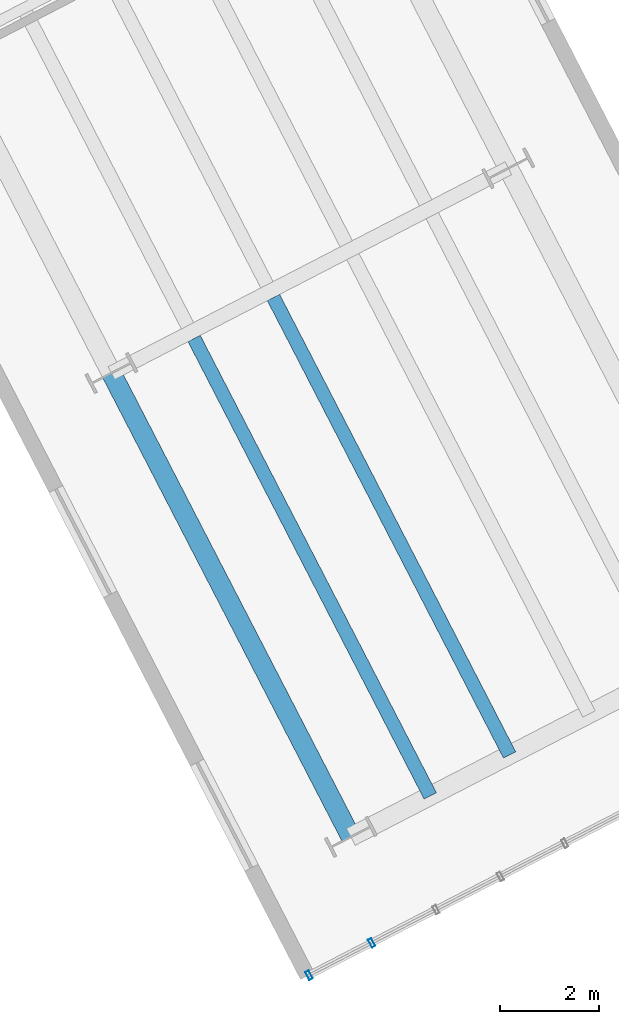
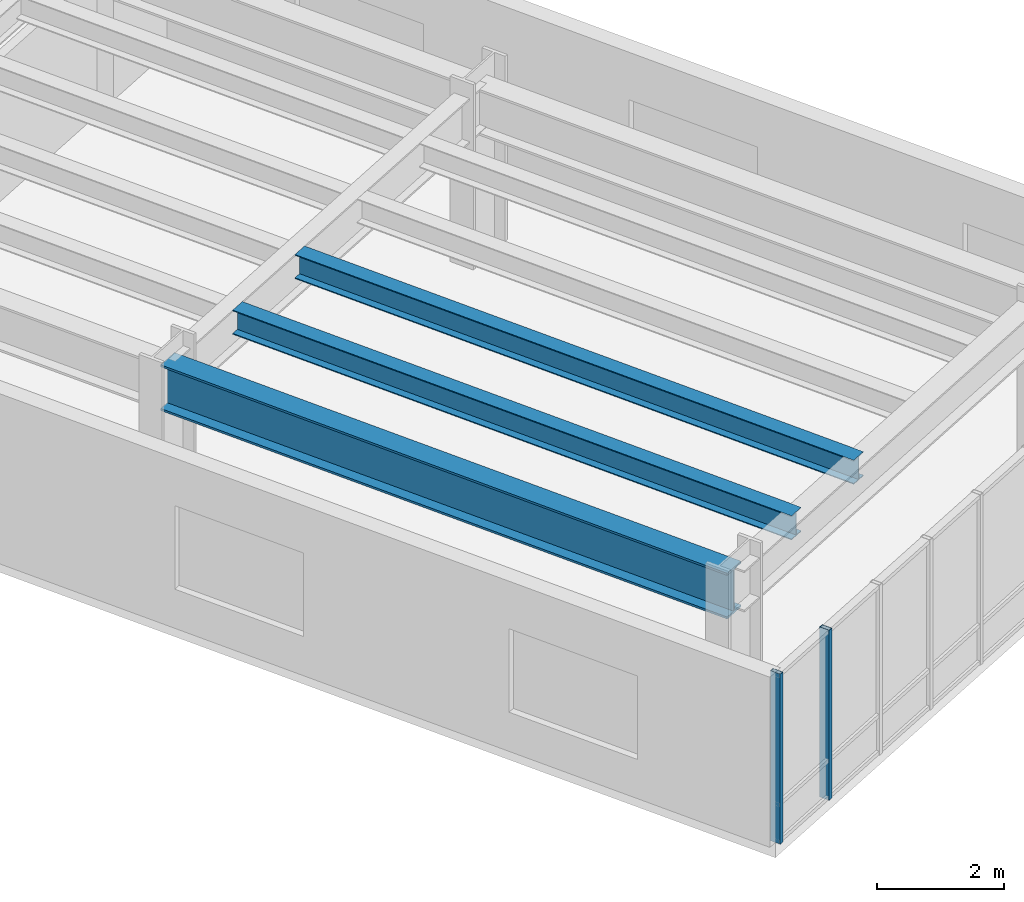
# One storey, part 2 of 10: 3 beams, 2 members, 1 element without a shape of its own.
"""IFC4 building model written with IfcOpenShell, lengths in metres."""

from ifc_helpers import new_model, si_unit, direction, frame, origin, origin_2d, place, context, subcontext, project, spatial, hollow_rectangle, i_section, extrude, material, layer, layer_set, material_profile, profile_set, type_object, element, aggregate, save


model = new_model("IFC4")

# Units and contexts
model_context = context("Model", 3, precision=1e-05, world=origin(), true_north=direction((0.0, 1.0)))
body_context = subcontext(model_context, "Body", "Model", "MODEL_VIEW")
ifc_project = project(units=[si_unit("LENGTHUNIT", "METRE"), si_unit("AREAUNIT", "SQUARE_METRE"), si_unit("VOLUMEUNIT", "CUBIC_METRE"), si_unit("PLANEANGLEUNIT", "RADIAN"), si_unit("MASSUNIT", "GRAM", prefix="KILO"), si_unit("THERMODYNAMICTEMPERATUREUNIT", "KELVIN"), si_unit("POWERUNIT", "WATT")], contexts=[model_context])

# Site, building, storey
site_placement = place(None, origin())
site = spatial("IfcSite", under=ifc_project, at=site_placement, CompositionType="ELEMENT")
building_placement = place(site_placement, origin())
building = spatial("IfcBuilding", under=site, at=building_placement, Name="Skarre Station Tower", CompositionType="ELEMENT")
storey_placement = place(building_placement, frame((0.0, 0.0, 234.800048828125)))
storey = spatial("IfcBuildingStorey", under=building, at=storey_placement, Name="L64", CompositionType="ELEMENT", Elevation=234.800048828125)

# Curtain wall, members
ifc_material_1 = material(Name="Thermally Broken Bronze-Anodized Aluminium & Triple Low-E Glass", Category="aluminium")
ifc_layer = layer(ifc_material_1, 0.2099609375, Name="Thermally Broken Bronze-Anodized Aluminium & Triple Low-E Glass")
ifc_layer_set = layer_set([ifc_layer], Name="Thermally Broken Bronze-Anodized Aluminium & Triple Low-E Glass")
curtain_wall_type = type_object("IfcCurtainWallType", Name="Sky-Bar Prow Structural Glazed Curtain Wall", PredefinedType="NOTDEFINED", material=ifc_layer_set)
curtain_wall_placement = place(storey_placement, origin())
curtain_wall = element("IfcCurtainWall", 1, at=curtain_wall_placement, inside=storey, type_object=curtain_wall_type, Name="L64 SB-5 Lakefront Prow Curtain Wall", PredefinedType="NOTDEFINED")
ifc_material_2 = material(Name="Anodized Aluminium 6063-T6", Category="aluminium")
ifc_material_profile_1 = material_profile(ifc_material_2, hollow_rectangle(XDim=0.074951171875, YDim=0.179931640625, WallThickness=0.00390625, at=origin_2d()), Name="Anodized Aluminium 6063-T6")
ifc_profile_set_1 = profile_set([ifc_material_profile_1], Name="Anodized Aluminium 6063-T6")
member_type = type_object("IfcMemberType", Name="Curtain-Wall Unitised Tower Mullion 180x75", PredefinedType="MULLION", material=ifc_profile_set_1)
member_1_placement = place(storey_placement, frame((46.5439453125, -9.54296875, 0.0), z_axis=(0.0, 0.0, 1.0), x_axis=(-0.888577204547, -0.45872709922, 0.0)))
member_1 = element("IfcMember", 2, at=member_1_placement, type_object=member_type, Name="L64 SB-5 Lakefront Prow Curtain Wall Mullion 9", PredefinedType="MULLION", context=body_context, shape_type="SweptSolid", body=[
    extrude(hollow_rectangle(XDim=0.074951171875, YDim=0.179931640625, WallThickness=0.00390625, at=origin_2d()), origin(), (0.0, 0.0, 1.0), 3.260009765625),
])
member_2_placement = place(storey_placement, frame((45.277099609375, -10.197998046875, 0.0), z_axis=(0.0, 0.0, 1.0), x_axis=(-0.888577204547, -0.45872709922, 0.0)))
member_2 = element("IfcMember", 3, at=member_2_placement, type_object=member_type, Name="L64 SB-5 Lakefront Prow Curtain Wall Mullion 10", PredefinedType="MULLION", context=body_context, shape_type="SweptSolid", body=[
    extrude(hollow_rectangle(XDim=0.074951171875, YDim=0.179931640625, WallThickness=0.00390625, at=origin_2d()), origin(), (0.0, 0.0, 1.0), 3.260009765625),
])
aggregate(curtain_wall, [member_1, member_2])

# Beams
ifc_material_3 = material(Name="Steel ASTM A992 Grade 50", Category="steel")
ifc_material_profile_2 = material_profile(ifc_material_3, i_section(OverallWidth=0.40087890625, OverallDepth=0.876953125, WebThickness=0.02197265625, FlangeThickness=0.0400390625, at=origin_2d()), Name="Steel ASTM A992 Grade 50")
ifc_profile_set_2 = profile_set([ifc_material_profile_2], Name="Steel ASTM A992 Grade 50")
beam_type_1 = type_object("IfcBeamType", Name="Steel Beam W33X263", PredefinedType="BEAM", material=ifc_profile_set_2)
beam_1_placement = place(storey_placement, frame((41.27392578125, 1.9951171875, 2.821044921875), z_axis=(0.458761762257, -0.888559308933, 0.0), x_axis=(0.888559308933, 0.458761762257, 0.0)))
element("IfcBeam", 4, at=beam_1_placement, inside=storey, type_object=beam_type_1, Name="L64 SB-5 Side 1 Outer Girder", PredefinedType="BEAM", context=body_context, shape_type="SweptSolid", body=[
    extrude(i_section(OverallWidth=0.40087890625, OverallDepth=0.876953125, WebThickness=0.02197265625, FlangeThickness=0.0400390625, at=origin_2d()), origin(), (0.0, 0.0, 1.0), 10.570068359375),
])
ifc_material_profile_3 = material_profile(ifc_material_3, i_section(OverallWidth=0.280029296875, OverallDepth=0.462890625, WebThickness=0.010986328125, FlangeThickness=0.01708984375, at=origin_2d()), Name="Steel ASTM A992 Grade 50")
ifc_profile_set_3 = profile_set([ifc_material_profile_3], Name="Steel ASTM A992 Grade 50")
beam_type_2 = type_object("IfcBeamType", Name="Steel Joist W18X76", PredefinedType="JOIST", material=ifc_profile_set_3)
beam_2_placement = place(storey_placement, frame((42.947998046875, 2.697021484375, 3.02783203125), z_axis=(0.458762809961, -0.888558768004, 0.0), x_axis=(0.888558768004, 0.458762809961, 0.0)))
element("IfcBeam", 5, at=beam_2_placement, inside=storey, type_object=beam_type_2, Name="L64 SB-5 Outer Deck Joist 1", PredefinedType="JOIST", context=body_context, shape_type="SweptSolid", body=[
    extrude(i_section(OverallWidth=0.280029296875, OverallDepth=0.462890625, WebThickness=0.010986328125, FlangeThickness=0.01708984375, at=origin_2d()), origin(), (0.0, 0.0, 1.0), 10.42578125),
])
beam_3_placement = place(storey_placement, frame((44.554931640625, 3.527099609375, 3.02783203125), z_axis=(0.458753264473, -0.888563696274, 0.0), x_axis=(0.888563696274, 0.458753264473, 0.0)))
element("IfcBeam", 6, at=beam_3_placement, inside=storey, type_object=beam_type_2, Name="L64 SB-5 Outer Deck Joist 2", PredefinedType="JOIST", context=body_context, shape_type="SweptSolid", body=[
    extrude(i_section(OverallWidth=0.280029296875, OverallDepth=0.462890625, WebThickness=0.010986328125, FlangeThickness=0.01708984375, at=origin_2d()), origin(), (0.0, 0.0, 1.0), 10.426025390625),
])

save(model, "model.ifc")
